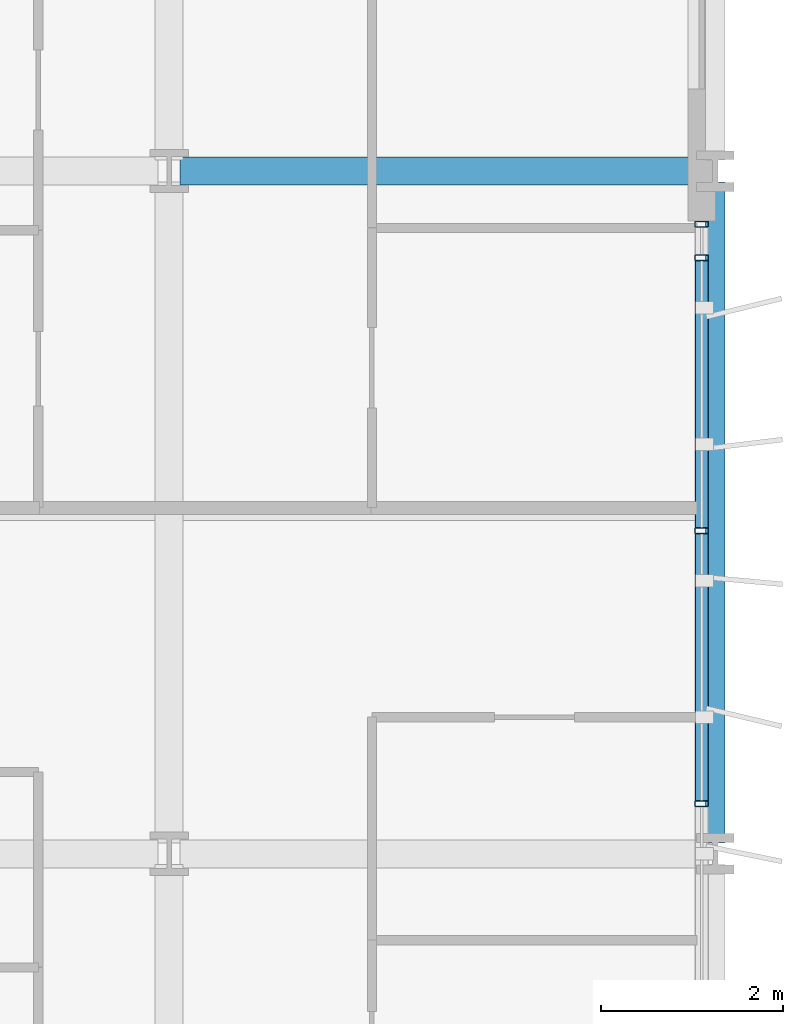
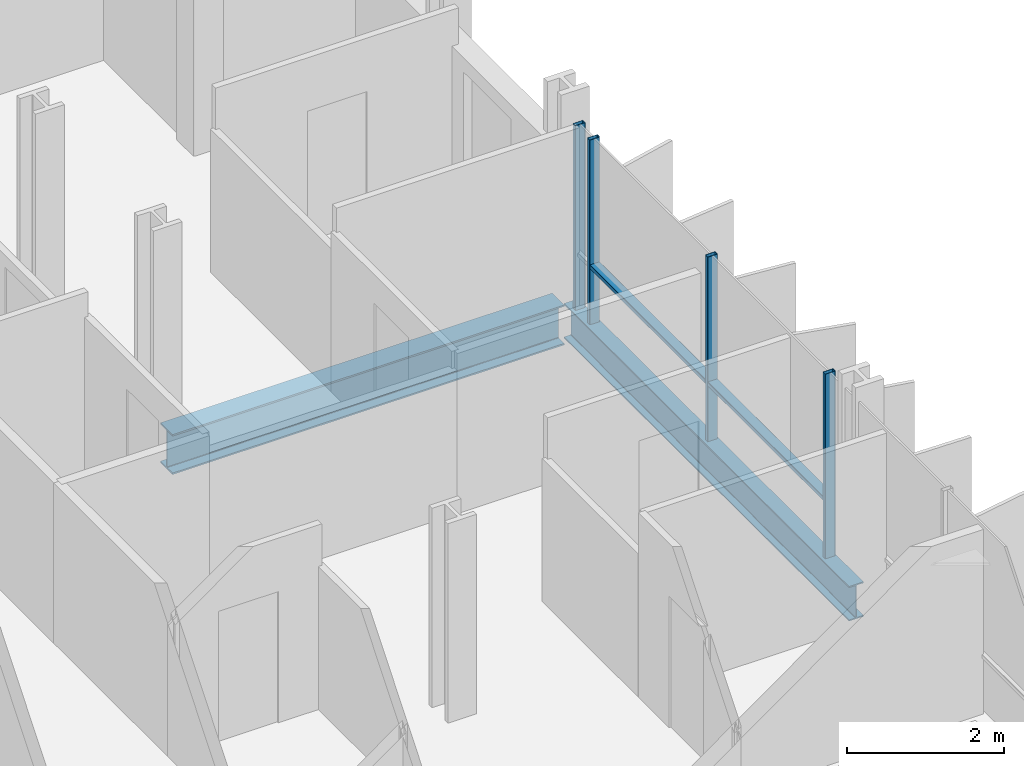
# One storey, part 19 of 38: 6 members, 2 beams, 1 element without a shape of its own.
"""IFC4 building model written with IfcOpenShell, lengths in metres."""

from ifc_helpers import new_model, si_unit, direction, frame, origin, origin_2d, place, context, subcontext, project, spatial, hollow_rectangle, i_section, extrude, material, layer, layer_set, material_profile, profile_set, type_object, element, aggregate, save


model = new_model("IFC4")

# Units and contexts
model_context = context("Model", 3, precision=1e-05, world=origin(), true_north=direction((0.0, 1.0)))
body_context = subcontext(model_context, "Body", "Model", "MODEL_VIEW")
ifc_project = project(units=[si_unit("LENGTHUNIT", "METRE"), si_unit("AREAUNIT", "SQUARE_METRE"), si_unit("VOLUMEUNIT", "CUBIC_METRE"), si_unit("PLANEANGLEUNIT", "RADIAN"), si_unit("MASSUNIT", "GRAM", prefix="KILO")], contexts=[model_context])

# Site, building, storey
site_placement = place(None, origin())
site = spatial("IfcSite", under=ifc_project, at=site_placement, CompositionType="ELEMENT")
building_placement = place(site_placement, origin())
building = spatial("IfcBuilding", under=site, at=building_placement, Name="Brevholm Reach", CompositionType="ELEMENT")
storey_placement = place(building_placement, frame((0.0, 0.0, 46.60009765625)))
storey = spatial("IfcBuildingStorey", under=building, at=storey_placement, Name="L12", CompositionType="ELEMENT", Elevation=46.60009765625)

# Beams
ifc_material_1 = material(Name="Structural Steel S355J2", Category="steel")
ifc_material_profile_1 = material_profile(ifc_material_1, i_section(OverallWidth=0.210693359375, OverallDepth=0.53955078125, WebThickness=0.01171875, FlangeThickness=0.018798828125, FilletRadius=0.0126953125, at=origin_2d()), Name="UKB 533x210x109")
ifc_profile_set_1 = profile_set([ifc_material_profile_1], Name="Structural Steel S355J2")
beam_type_1 = type_object("IfcBeamType", Name="BM-SP539", PredefinedType="SPANDREL", material=ifc_profile_set_1)
beam_1_placement = place(storey_placement, frame((60.0, 16.1201171875, -0.499755859375), z_axis=(0.0, 1.0, 0.0), x_axis=(-1.0, 0.0, 0.0)))
element("IfcBeam", 1, at=beam_1_placement, inside=storey, type_object=beam_type_1, Name="L12 SP-01B Framing Beam", PredefinedType="SPANDREL", context=body_context, shape_type="SweptSolid", body=[
    extrude(i_section(OverallWidth=0.210693359375, OverallDepth=0.53955078125, WebThickness=0.01171875, FlangeThickness=0.018798828125, FilletRadius=0.0126953125, at=origin_2d()), origin(), (0.0, 0.0, 1.0), 7.259765625),
])
ifc_material_2 = material(Name="Structural Steel S355J2", Category="steel")
ifc_material_profile_2 = material_profile(ifc_material_2, i_section(OverallWidth=0.30712890625, OverallDepth=0.6201171875, WebThickness=0.01416015625, FlangeThickness=0.023681640625, FilletRadius=0.0166015625, at=origin_2d()), Name="UKB 610x305x179")
ifc_profile_set_2 = profile_set([ifc_material_profile_2], Name="Structural Steel S355J2")
beam_type_2 = type_object("IfcBeamType", Name="BM-UKB610H", PredefinedType="USERDEFINED", material=ifc_profile_set_2)
beam_2_placement = place(storey_placement, frame((54.1201171875, 23.5, -0.540283203125), z_axis=(1.0, 0.0, 0.0), x_axis=(0.0, 1.0, 0.0)))
element("IfcBeam", 2, at=beam_2_placement, inside=storey, type_object=beam_type_2, Name="L12 G-06 Framing Beam", ObjectType="GIRDER", PredefinedType="USERDEFINED", context=body_context, shape_type="SweptSolid", body=[
    extrude(i_section(OverallWidth=0.30712890625, OverallDepth=0.6201171875, WebThickness=0.01416015625, FlangeThickness=0.023681640625, FilletRadius=0.0166015625, at=origin_2d()), origin(), (0.0, 0.0, 1.0), 5.759765625),
])

# Curtain wall, members
ifc_material_3 = material(Name="Dark Anodised Aluminium 6063-T6 and Solar-Control Glass", Category="aluminium")
ifc_layer = layer(ifc_material_3, 0.14990234375)
ifc_layer_set = layer_set([ifc_layer], Name="Dark Anodised Aluminium 6063-T6 and Solar-Control Glass")
curtain_wall_type = type_object("IfcCurtainWallType", Name="CW-01", PredefinedType="NOTDEFINED", material=ifc_layer_set)
curtain_wall_placement = place(storey_placement, origin())
curtain_wall = element("IfcCurtainWall", 3, at=curtain_wall_placement, inside=storey, type_object=curtain_wall_type, Name="L12 Curtain Wall CW-01", PredefinedType="NOTDEFINED")
ifc_material_4 = material(Name="Dark Anodised Aluminium 6063-T6", Category="aluminium")
ifc_material_profile_3 = material_profile(ifc_material_4, hollow_rectangle(XDim=0.06494140625, YDim=0.14990234375, WallThickness=0.0048828125, InnerFilletRadius=0.0048828125, OuterFilletRadius=0.010009765625, at=origin_2d()), Name="RHS 150x65x5")
ifc_profile_set_3 = profile_set([ifc_material_profile_3], Name="Dark Anodised Aluminium 6063-T6")
member_type_1 = type_object("IfcMemberType", Name="CWM-150", PredefinedType="MULLION", material=ifc_profile_set_3)
member_1_placement = place(storey_placement, frame((59.85009765625, 16.550048828125, 0.0), z_axis=(0.0, 0.0, 1.0), x_axis=(0.0, 1.0, 0.0)))
member_1 = element("IfcMember", 4, at=member_1_placement, type_object=member_type_1, Name="CM-150 Mullion 3", PredefinedType="MULLION", context=body_context, shape_type="SweptSolid", body=[
    extrude(hollow_rectangle(XDim=0.06494140625, YDim=0.14990234375, WallThickness=0.0048828125, InnerFilletRadius=0.0048828125, OuterFilletRadius=0.010009765625, at=origin_2d()), origin(), (0.0, 0.0, 1.0), 2.869873046875),
])
member_2_placement = place(storey_placement, frame((59.85009765625, 19.550048828125, 0.0), z_axis=(0.0, 0.0, 1.0), x_axis=(0.0, 1.0, 0.0)))
member_2 = element("IfcMember", 5, at=member_2_placement, type_object=member_type_1, Name="CM-150 Mullion 4", PredefinedType="MULLION", context=body_context, shape_type="SweptSolid", body=[
    extrude(hollow_rectangle(XDim=0.06494140625, YDim=0.14990234375, WallThickness=0.0048828125, InnerFilletRadius=0.0048828125, OuterFilletRadius=0.010009765625, at=origin_2d()), origin(), (0.0, 0.0, 1.0), 2.869873046875),
])
member_3_placement = place(storey_placement, frame((59.85009765625, 22.550048828125, 0.0), z_axis=(0.0, 0.0, 1.0), x_axis=(0.0, 1.0, 0.0)))
member_3 = element("IfcMember", 6, at=member_3_placement, type_object=member_type_1, Name="CM-150 Mullion 5", PredefinedType="MULLION", context=body_context, shape_type="SweptSolid", body=[
    extrude(hollow_rectangle(XDim=0.06494140625, YDim=0.14990234375, WallThickness=0.0048828125, InnerFilletRadius=0.0048828125, OuterFilletRadius=0.010009765625, at=origin_2d()), origin(), (0.0, 0.0, 1.0), 2.869873046875),
])
member_4_placement = place(storey_placement, frame((59.85009765625, 22.91748046875, 0.0), z_axis=(0.0, 0.0, 1.0), x_axis=(0.0, 1.0, 0.0)))
member_4 = element("IfcMember", 7, at=member_4_placement, type_object=member_type_1, Name="CM-150 Mullion 6", PredefinedType="MULLION", context=body_context, shape_type="SweptSolid", body=[
    extrude(hollow_rectangle(XDim=0.06494140625, YDim=0.14990234375, WallThickness=0.0048828125, InnerFilletRadius=0.0048828125, OuterFilletRadius=0.010009765625, at=origin_2d()), origin(), (0.0, 0.0, 1.0), 2.869873046875),
])
ifc_material_5 = material(Name="Dark Anodised Aluminium 6063-T6", Category="aluminium")
ifc_material_profile_4 = material_profile(ifc_material_5, hollow_rectangle(XDim=0.06494140625, YDim=0.14990234375, WallThickness=0.0048828125, InnerFilletRadius=0.0048828125, OuterFilletRadius=0.010009765625, at=origin_2d()), Name="RHS 150x65x5")
ifc_profile_set_4 = profile_set([ifc_material_profile_4], Name="Dark Anodised Aluminium 6063-T6")
member_type_2 = type_object("IfcMemberType", Name="CWT-150", PredefinedType="NOTDEFINED", material=ifc_profile_set_4)
member_5_placement = place(storey_placement, frame((59.85009765625, 16.58251953125, 0.89990234375), z_axis=(0.0, 1.0, 0.0), x_axis=(0.0, 0.0, 1.0)))
member_5 = element("IfcMember", 8, at=member_5_placement, type_object=member_type_2, Name="CT-150 Transom 3.1", ObjectType="TRANSOM", PredefinedType="USERDEFINED", context=body_context, shape_type="SweptSolid", body=[
    extrude(hollow_rectangle(XDim=0.06494140625, YDim=0.14990234375, WallThickness=0.0048828125, InnerFilletRadius=0.0048828125, OuterFilletRadius=0.010009765625, at=origin_2d()), origin(), (0.0, 0.0, 1.0), 2.93505859375),
])
member_6_placement = place(storey_placement, frame((59.85009765625, 19.58251953125, 0.89990234375), z_axis=(0.0, 1.0, 0.0), x_axis=(0.0, 0.0, 1.0)))
member_6 = element("IfcMember", 9, at=member_6_placement, type_object=member_type_2, Name="CT-150 Transom 4.1", ObjectType="TRANSOM", PredefinedType="USERDEFINED", context=body_context, shape_type="SweptSolid", body=[
    extrude(hollow_rectangle(XDim=0.06494140625, YDim=0.14990234375, WallThickness=0.0048828125, InnerFilletRadius=0.0048828125, OuterFilletRadius=0.010009765625, at=origin_2d()), origin(), (0.0, 0.0, 1.0), 2.93505859375),
])
aggregate(curtain_wall, [member_1, member_2, member_3, member_4, member_5, member_6])

save(model, "model.ifc")
